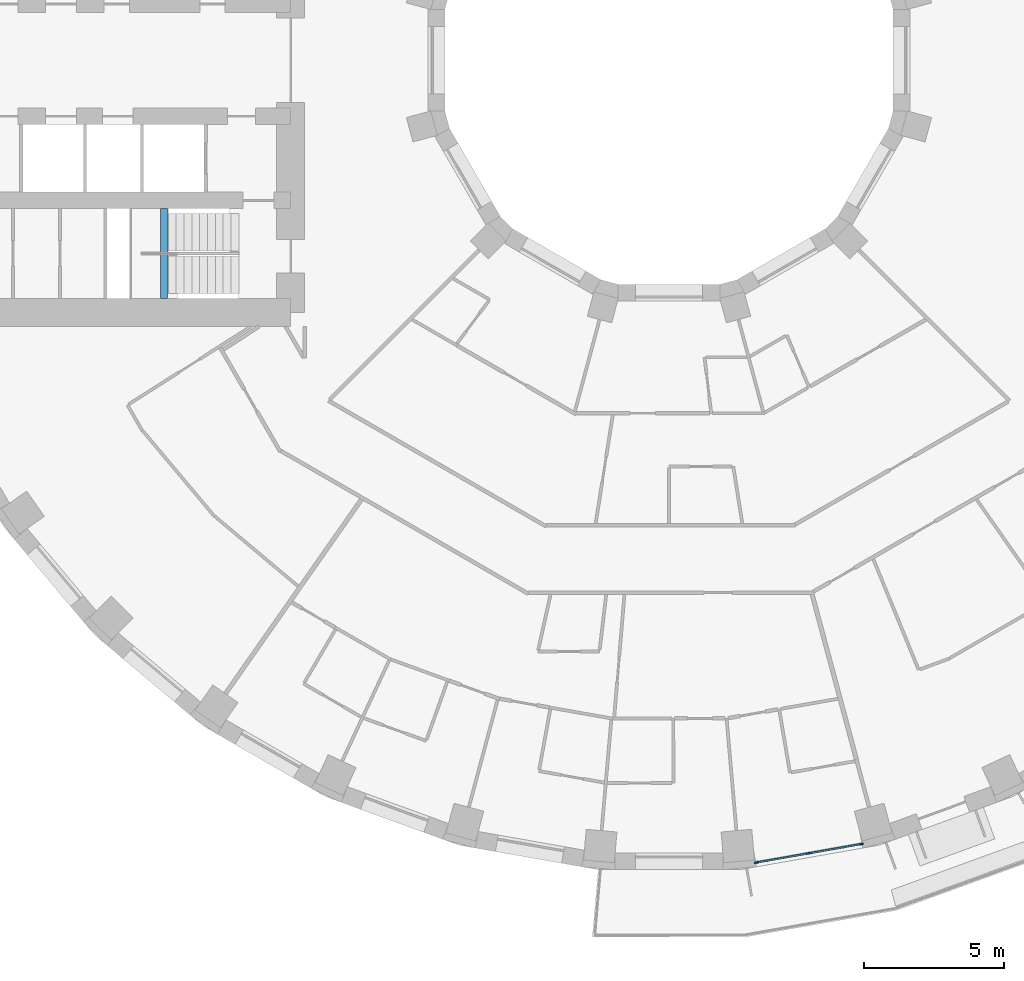
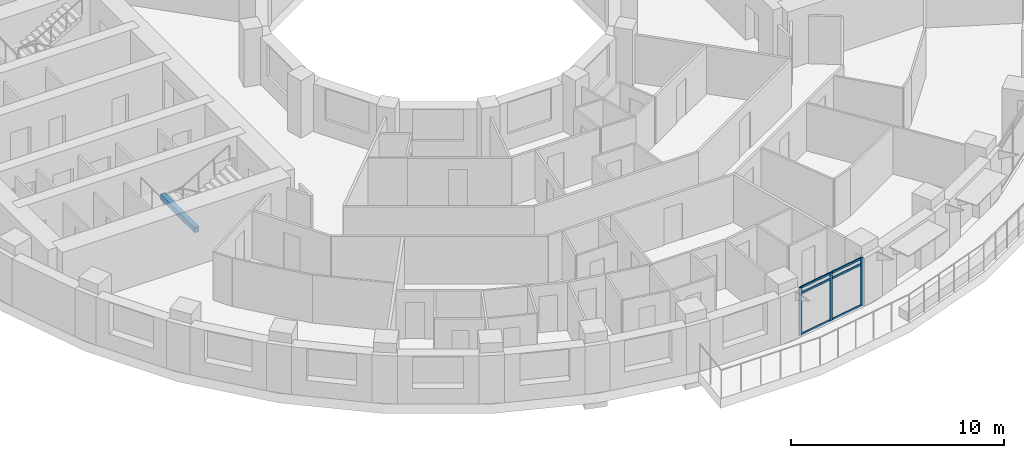
# One storey, part 2 of 16: 9 members, 1 beam, 1 element without a shape of its own.
"""IFC4 building model written with IfcOpenShell, lengths in metres."""

from ifc_helpers import new_model, si_unit, direction, frame, origin, origin_2d, place, context, subcontext, project, spatial, rectangle, extrude, material, layer, layer_set, material_profile, profile_set, type_object, element, aggregate, save


model = new_model("IFC4")

# Units and contexts
model_context = context("Model", 3, precision=1e-05, world=origin(), true_north=direction((0.0, 1.0)))
body_context = subcontext(model_context, "Body", "Model", "MODEL_VIEW")
ifc_project = project(units=[si_unit("LENGTHUNIT", "METRE"), si_unit("AREAUNIT", "SQUARE_METRE"), si_unit("VOLUMEUNIT", "CUBIC_METRE"), si_unit("PLANEANGLEUNIT", "RADIAN"), si_unit("MASSUNIT", "GRAM", prefix="KILO")], contexts=[model_context])

# Site, building, storey
site_placement = place(None, origin())
site = spatial("IfcSite", under=ifc_project, at=site_placement, CompositionType="ELEMENT")
building_placement = place(site_placement, origin())
building = spatial("IfcBuilding", under=site, at=building_placement, Name="Saqina Gate Tower", CompositionType="ELEMENT")
storey_placement = place(building_placement, frame((0.0, 0.0, 26.300048828125)))
storey = spatial("IfcBuildingStorey", under=building, at=storey_placement, Name="L06", CompositionType="ELEMENT", Elevation=26.300048828125)

# Curtain wall, members
ifc_material_1 = material(Name="Aluminium glazing", Category="aluminium")
ifc_layer = layer(ifc_material_1, 0.159912109375)
ifc_layer_set = layer_set([ifc_layer], Name="CWT-4")
curtain_wall_type = type_object("IfcCurtainWallType", Name="CWT-4", PredefinedType="NOTDEFINED", material=ifc_layer_set)
curtain_wall_placement = place(storey_placement, origin())
curtain_wall = element("IfcCurtainWall", 1, at=curtain_wall_placement, inside=storey, type_object=curtain_wall_type, Name="Terrace lounge glazing facet 28", PredefinedType="NOTDEFINED")
ifc_material_2 = material(Name="Aluminium", Category="aluminium")
ifc_material_profile_1 = material_profile(ifc_material_2, rectangle(XDim=0.06005859375, YDim=0.159912109375, at=origin_2d()), Name="Aluminium 60x160")
ifc_profile_set_1 = profile_set([ifc_material_profile_1], Name="Aluminium")
member_type_1 = type_object("IfcMemberType", Name="CWT-4M", PredefinedType="MULLION", material=ifc_profile_set_1)
member_1_placement = place(storey_placement, frame((3.12646484375, -28.631591796875, 0.0), z_axis=(0.0, 0.0, 1.0), x_axis=(-0.17364293059, 0.984808678199, 0.0)))
member_1 = element("IfcMember", 2, at=member_1_placement, type_object=member_type_1, Name="CW4-28 mullion 1", PredefinedType="MULLION", context=body_context, shape_type="SweptSolid", body=[
    extrude(rectangle(XDim=0.06005859375, YDim=0.159912109375, at=origin_2d()), origin(), (0.0, 0.0, 1.0), 2.75),
])
member_2_placement = place(storey_placement, frame((4.990478515625, -28.302978515625, 0.0), z_axis=(0.0, 0.0, 1.0), x_axis=(-0.17364293059, 0.984808678199, 0.0)))
member_2 = element("IfcMember", 3, at=member_2_placement, type_object=member_type_1, Name="CW4-28 mullion 2", PredefinedType="MULLION", context=body_context, shape_type="SweptSolid", body=[
    extrude(rectangle(XDim=0.06005859375, YDim=0.159912109375, at=origin_2d()), origin(), (0.0, 0.0, 1.0), 2.75),
])
member_3_placement = place(storey_placement, frame((6.854736328125, -27.974365234375, 0.0), z_axis=(0.0, 0.0, 1.0), x_axis=(-0.17364293059, 0.984808678199, 0.0)))
member_3 = element("IfcMember", 4, at=member_3_placement, type_object=member_type_1, Name="CW4-28 mullion 3", PredefinedType="MULLION", context=body_context, shape_type="SweptSolid", body=[
    extrude(rectangle(XDim=0.06005859375, YDim=0.159912109375, at=origin_2d()), origin(), (0.0, 0.0, 1.0), 2.75),
])
ifc_material_3 = material(Name="Aluminium", Category="aluminium")
ifc_material_profile_2 = material_profile(ifc_material_3, rectangle(XDim=0.06005859375, YDim=0.1201171875, at=origin_2d()), Name="Aluminium 60x120")
ifc_profile_set_2 = profile_set([ifc_material_profile_2], Name="Aluminium")
member_type_2 = type_object("IfcMemberType", Name="CWT-4T", PredefinedType="USERDEFINED", material=ifc_profile_set_2)
member_4_placement = place(storey_placement, frame((3.156005859375, -28.62646484375, 0.030029296875), z_axis=(0.984798306365, 0.173701743744, 0.0), x_axis=(-0.173701743744, 0.984798306365, 0.0)))
member_4 = element("IfcMember", 5, at=member_4_placement, type_object=member_type_2, Name="CW4-28 transom 1.1", ObjectType="TRANSOM", PredefinedType="USERDEFINED", context=body_context, shape_type="SweptSolid", body=[
    extrude(rectangle(XDim=0.06005859375, YDim=0.1201171875, at=origin_2d()), origin(), (0.0, 0.0, 1.0), 1.832763671875),
])
member_5_placement = place(storey_placement, frame((3.156005859375, -28.62646484375, 2.39990234375), z_axis=(0.984798306365, 0.173701743744, 0.0), x_axis=(-0.173701743744, 0.984798306365, 0.0)))
member_5 = element("IfcMember", 6, at=member_5_placement, type_object=member_type_2, Name="CW4-28 transom 1.2", ObjectType="TRANSOM", PredefinedType="USERDEFINED", context=body_context, shape_type="SweptSolid", body=[
    extrude(rectangle(XDim=0.06005859375, YDim=0.1201171875, at=origin_2d()), origin(), (0.0, 0.0, 1.0), 1.832763671875),
])
member_6_placement = place(storey_placement, frame((3.156005859375, -28.62646484375, 2.719970703125), z_axis=(0.984798306365, 0.173701743744, 0.0), x_axis=(-0.173701743744, 0.984798306365, 0.0)))
member_6 = element("IfcMember", 7, at=member_6_placement, type_object=member_type_2, Name="CW4-28 transom 1.3", ObjectType="TRANSOM", PredefinedType="USERDEFINED", context=body_context, shape_type="SweptSolid", body=[
    extrude(rectangle(XDim=0.06005859375, YDim=0.1201171875, at=origin_2d()), origin(), (0.0, 0.0, 1.0), 1.832763671875),
])
member_7_placement = place(storey_placement, frame((5.020263671875, -28.2978515625, 0.030029296875), z_axis=(0.984798306365, 0.173701743744, 0.0), x_axis=(-0.173701743744, 0.984798306365, 0.0)))
member_7 = element("IfcMember", 8, at=member_7_placement, type_object=member_type_2, Name="CW4-28 transom 2.1", ObjectType="TRANSOM", PredefinedType="USERDEFINED", context=body_context, shape_type="SweptSolid", body=[
    extrude(rectangle(XDim=0.06005859375, YDim=0.1201171875, at=origin_2d()), origin(), (0.0, 0.0, 1.0), 1.832763671875),
])
member_8_placement = place(storey_placement, frame((5.020263671875, -28.2978515625, 2.39990234375), z_axis=(0.984798306365, 0.173701743744, 0.0), x_axis=(-0.173701743744, 0.984798306365, 0.0)))
member_8 = element("IfcMember", 9, at=member_8_placement, type_object=member_type_2, Name="CW4-28 transom 2.2", ObjectType="TRANSOM", PredefinedType="USERDEFINED", context=body_context, shape_type="SweptSolid", body=[
    extrude(rectangle(XDim=0.06005859375, YDim=0.1201171875, at=origin_2d()), origin(), (0.0, 0.0, 1.0), 1.832763671875),
])
member_9_placement = place(storey_placement, frame((5.020263671875, -28.2978515625, 2.719970703125), z_axis=(0.984798306365, 0.173701743744, 0.0), x_axis=(-0.173701743744, 0.984798306365, 0.0)))
member_9 = element("IfcMember", 10, at=member_9_placement, type_object=member_type_2, Name="CW4-28 transom 2.3", ObjectType="TRANSOM", PredefinedType="USERDEFINED", context=body_context, shape_type="SweptSolid", body=[
    extrude(rectangle(XDim=0.06005859375, YDim=0.1201171875, at=origin_2d()), origin(), (0.0, 0.0, 1.0), 1.832763671875),
])
aggregate(curtain_wall, [member_1, member_2, member_3, member_4, member_5, member_6, member_7, member_8, member_9])

# Beam
ifc_material_4 = material(Name="Concrete C40/50", Category="concrete")
ifc_material_profile_3 = material_profile(ifc_material_4, rectangle(XDim=0.25, YDim=0.300048828125, at=origin_2d()), Name="STAIR LANDING BEAM")
ifc_profile_set_3 = profile_set([ifc_material_profile_3], Name="Concrete C40/50")
beam_type = type_object("IfcBeamType", Name="STAIR LANDING BEAM", PredefinedType="BEAM", material=ifc_profile_set_3)
beam_placement = place(storey_placement, frame((-18.02001953125, -8.5, 1.25), z_axis=(0.0, 1.0, 0.0), x_axis=(-1.0, 0.0, 0.0)))
element("IfcBeam", 11, at=beam_placement, inside=storey, type_object=beam_type, Name="EXIT STAIR 4 LANDING BEAM", PredefinedType="BEAM", context=body_context, shape_type="SweptSolid", body=[
    extrude(rectangle(XDim=0.25, YDim=0.300048828125, at=origin_2d()), origin(), (0.0, 0.0, 1.0), 3.199951171875),
])

save(model, "model.ifc")
